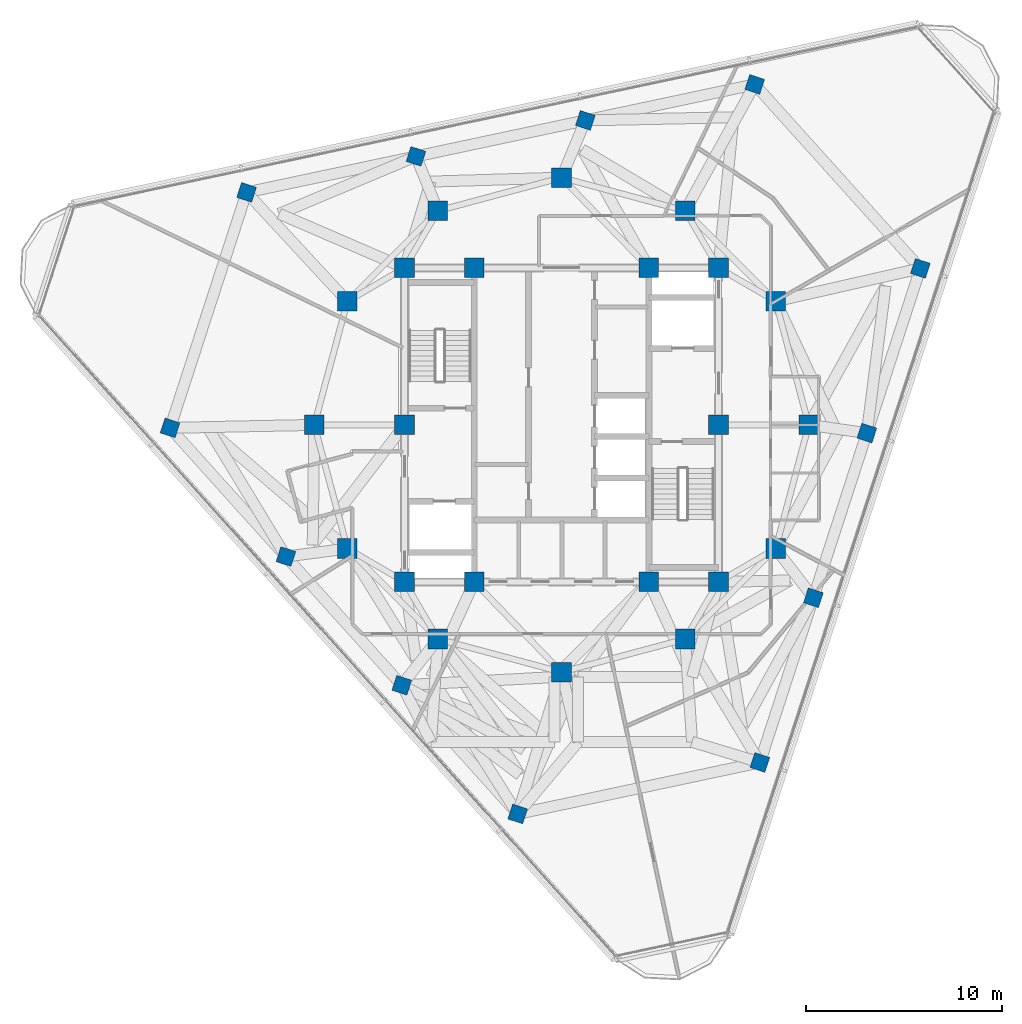
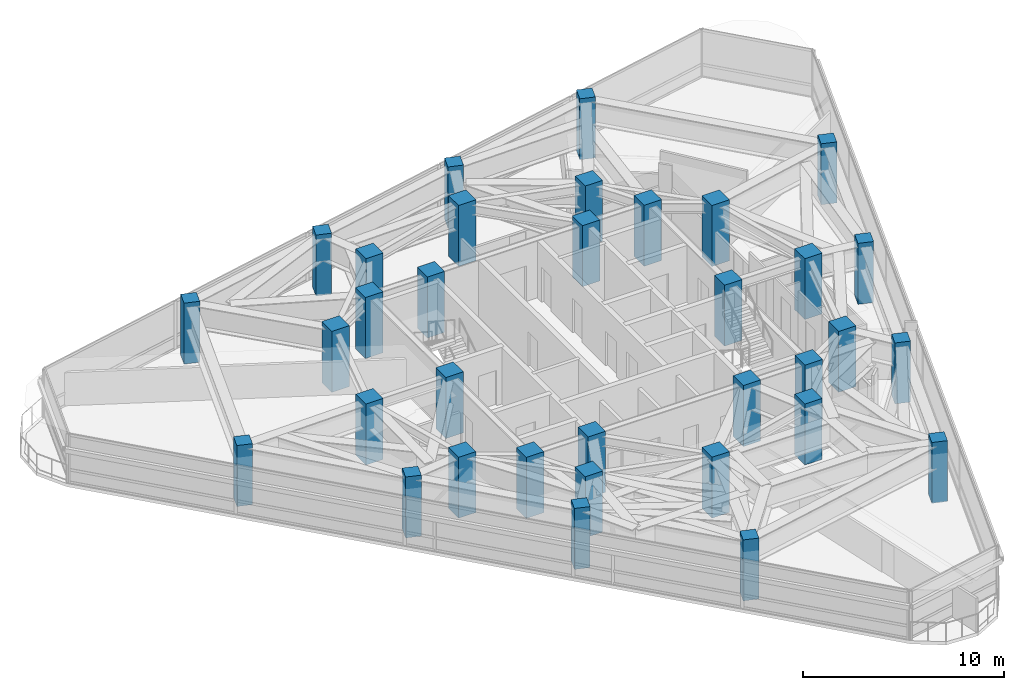
# One storey, part 1 of 15: 34 columns.
"""IFC4 building model written with IfcOpenShell, lengths in metres."""

from ifc_helpers import new_model, si_unit, direction, frame, origin, origin_2d, place, context, subcontext, project, spatial, rectangle, extrude, material, material_profile, profile_set, type_object, element, save


model = new_model("IFC4")

# Units and contexts
model_context = context("Model", 3, precision=1e-05, world=origin(), true_north=direction((0.0, 1.0)))
body_context = subcontext(model_context, "Body", "Model", "MODEL_VIEW")
ifc_project = project(units=[si_unit("LENGTHUNIT", "METRE"), si_unit("AREAUNIT", "SQUARE_METRE"), si_unit("VOLUMEUNIT", "CUBIC_METRE"), si_unit("PLANEANGLEUNIT", "RADIAN"), si_unit("MASSUNIT", "GRAM", prefix="KILO")], contexts=[model_context])

# Site, building, storey
site_placement = place(None, origin())
site = spatial("IfcSite", under=ifc_project, at=site_placement, CompositionType="ELEMENT")
building_placement = place(site_placement, origin())
building = spatial("IfcBuilding", under=site, at=building_placement, Name="Terralouvre Media Tower", CompositionType="ELEMENT")
storey_placement = place(building_placement, frame((0.0, 0.0, 309.10009765625)))
storey = spatial("IfcBuildingStorey", under=building, at=storey_placement, Name="L80", CompositionType="ELEMENT", Elevation=309.10009765625)

# Columns
ifc_material_1 = material(Name="Concrete C50/60", Category="concrete")
ifc_material_profile_1 = material_profile(ifc_material_1, rectangle(XDim=1.0, YDim=1.0, at=origin_2d()), Name="RC 1000x1000")
ifc_profile_set_1 = profile_set([ifc_material_profile_1], Name="Concrete C50/60")
column_type_1 = type_object("IfcColumnType", Name="Structural Column C-RC1000 (RC 1000x1000)", PredefinedType="COLUMN", material=ifc_profile_set_1)
for number, where, z_axis, x_axis, name in (
    (1, (-8.0, -8.0, 0.0), (0.0, 0.0, 1.0), (1.0, 0.0, 0.0), "L80 Core Pilaster Column CP1"),
    (2, (-4.449951171875, -8.0, 0.0), (0.0, 0.0, 1.0), (1.0, 0.0, 0.0), "L80 Core Pilaster Column CP2"),
    (3, (4.449951171875, -8.0, 0.0), (0.0, 0.0, 1.0), (1.0, 0.0, 0.0), "L80 Core Pilaster Column CP10"),
    (4, (8.0, -8.0, 0.0), (0.0, 0.0, 1.0), (1.0, 0.0, 0.0), "L80 Core Pilaster Column CP3"),
    (5, (8.0, 0.0, 0.0), (0.0, 0.0, 1.0), (1.0, 0.0, 0.0), "L80 Core Pilaster Column CP4"),
    (6, (8.0, 8.0, 0.0), (0.0, 0.0, 1.0), (1.0, 0.0, 0.0), "L80 Core Pilaster Column CP5"),
    (7, (4.449951171875, 8.0, 0.0), (0.0, 0.0, 1.0), (1.0, 0.0, 0.0), "L80 Core Pilaster Column CP9"),
    (8, (-4.449951171875, 8.0, 0.0), (0.0, 0.0, 1.0), (1.0, 0.0, 0.0), "L80 Core Pilaster Column CP6"),
    (9, (-8.0, 8.0, 0.0), (0.0, 0.0, 1.0), (1.0, 0.0, 0.0), "L80 Core Pilaster Column CP7"),
    (10, (-8.0, 0.0, 0.0), (0.0, 0.0, 1.0), (1.0, 0.0, 0.0), "L80 Core Pilaster Column CP8"),
    (11, (12.60009765625, 0.0, 0.0), (0.0, 0.0, 1.0), (1.0, 0.0, 0.0), "L80 Mega-Frame Column MC01"),
    (12, (10.911865234375, 6.300048828125, 0.0), (0.0, 0.0, 1.0), (1.0, 0.0, 0.0), "L80 Mega-Frame Column MC02"),
    (13, (6.300048828125, 10.911865234375, 0.0), (0.0, 0.0, 1.0), (1.0, 0.0, 0.0), "L80 Mega-Frame Column MC03"),
    (14, (0.0, 12.60009765625, 0.0), (0.0, 0.0, 1.0), (1.0, 0.0, 0.0), "L80 Mega-Frame Column MC04"),
    (15, (-6.300048828125, 10.911865234375, 0.0), (0.0, 0.0, 1.0), (1.0, 0.0, 0.0), "L80 Mega-Frame Column MC05"),
    (16, (-10.911865234375, 6.300048828125, 0.0), (0.0, 0.0, 1.0), (1.0, 0.0, 0.0), "L80 Mega-Frame Column MC06"),
    (17, (-12.60009765625, 0.0, 0.0), (0.0, 0.0, 1.0), (1.0, 0.0, 0.0), "L80 Mega-Frame Column MC07"),
    (18, (-10.911865234375, -6.300048828125, 0.0), (0.0, 0.0, 1.0), (1.0, 0.0, 0.0), "L80 Mega-Frame Column MC08"),
    (19, (-6.300048828125, -10.911865234375, 0.0), (0.0, 0.0, 1.0), (1.0, 0.0, 0.0), "L80 Mega-Frame Column MC09"),
    (20, (0.0, -12.60009765625, 0.0), (0.0, 0.0, 1.0), (1.0, 0.0, 0.0), "L80 Mega-Frame Column MC10"),
    (21, (6.300048828125, -10.911865234375, 0.0), (0.0, 0.0, 1.0), (1.0, 0.0, 0.0), "L80 Mega-Frame Column MC11"),
    (22, (10.911865234375, -6.300048828125, 0.0), (0.0, 0.0, 1.0), (1.0, 0.0, 0.0), "L80 Mega-Frame Column MC12"),
):
    element("IfcColumn", number, at=place(storey_placement, frame(where, z_axis=z_axis, x_axis=x_axis)), inside=storey, type_object=column_type_1, Name=name, PredefinedType="COLUMN", context=body_context, shape_type="SweptSolid", body=[
        extrude(rectangle(XDim=1.0, YDim=1.0, at=origin_2d()), origin(), (0.0, 0.0, 1.0), 3.699951171875),
    ])
ifc_material_2 = material(Name="Concrete C50/60", Category="concrete")
ifc_material_profile_2 = material_profile(ifc_material_2, rectangle(XDim=0.800048828125, YDim=0.800048828125, at=origin_2d()), Name="RC 800x800")
ifc_profile_set_2 = profile_set([ifc_material_profile_2], Name="Concrete C50/60")
column_type_2 = type_object("IfcColumnType", Name="Structural Column C-RC800 (RC 800x800)", PredefinedType="COLUMN", material=ifc_profile_set_2)
for number, where, z_axis, x_axis, name in (
    (23, (10.105712890625, -17.20068359375, 0.0), (0.0, 0.0, 1.0), (0.309016994375, 0.951056516295, 0.0), "L80 Perimeter Mega-Column PC11"),
    (24, (12.83251953125, -8.80859375, 0.0), (0.0, 0.0, 1.0), (0.309016994375, 0.951056516295, 0.0), "L80 Perimeter Mega-Column PC12"),
    (25, (15.55908203125, -0.41650390625, 0.0), (0.0, 0.0, 1.0), (0.309016994375, 0.951056516295, 0.0), "L80 Perimeter Mega-Column PC13"),
    (26, (18.285888671875, 7.9755859375, 0.0), (0.0, 0.0, 1.0), (0.309016994375, 0.951056516295, 0.0), "L80 Perimeter Mega-Column PC14"),
    (27, (9.843505859375, 17.35205078125, 0.0), (0.0, 0.0, 1.0), (0.309016994375, 0.951056516295, 0.0), "L80 Perimeter Mega-Column PC21"),
    (28, (1.212158203125, 15.517578125, 0.0), (0.0, 0.0, 1.0), (0.309016994375, 0.951056516295, 0.0), "L80 Perimeter Mega-Column PC22"),
    (29, (-7.4189453125, 13.682861328125, 0.0), (0.0, 0.0, 1.0), (0.309016994375, 0.951056516295, 0.0), "L80 Perimeter Mega-Column PC23"),
    (30, (-16.050048828125, 11.84814453125, 0.0), (0.0, 0.0, 1.0), (0.309016994375, 0.951056516295, 0.0), "L80 Perimeter Mega-Column PC24"),
    (31, (-19.948974609375, -0.1513671875, 0.0), (0.0, 0.0, 1.0), (0.309016994375, 0.951056516295, 0.0), "L80 Perimeter Mega-Column PC31"),
    (32, (-14.044677734375, -6.708984375, 0.0), (0.0, 0.0, 1.0), (0.309016994375, 0.951056516295, 0.0), "L80 Perimeter Mega-Column PC32"),
    (33, (-8.14013671875, -13.266357421875, 0.0), (0.0, 0.0, 1.0), (0.309016994375, 0.951056516295, 0.0), "L80 Perimeter Mega-Column PC33"),
    (34, (-2.23583984375, -19.823974609375, 0.0), (0.0, 0.0, 1.0), (0.309016994375, 0.951056516295, 0.0), "L80 Perimeter Mega-Column PC34"),
):
    element("IfcColumn", number, at=place(storey_placement, frame(where, z_axis=z_axis, x_axis=x_axis)), inside=storey, type_object=column_type_2, Name=name, PredefinedType="COLUMN", context=body_context, shape_type="SweptSolid", body=[
        extrude(rectangle(XDim=0.800048828125, YDim=0.800048828125, at=origin_2d()), origin(), (0.0, 0.0, 1.0), 3.699951171875),
    ])

save(model, "model.ifc")
